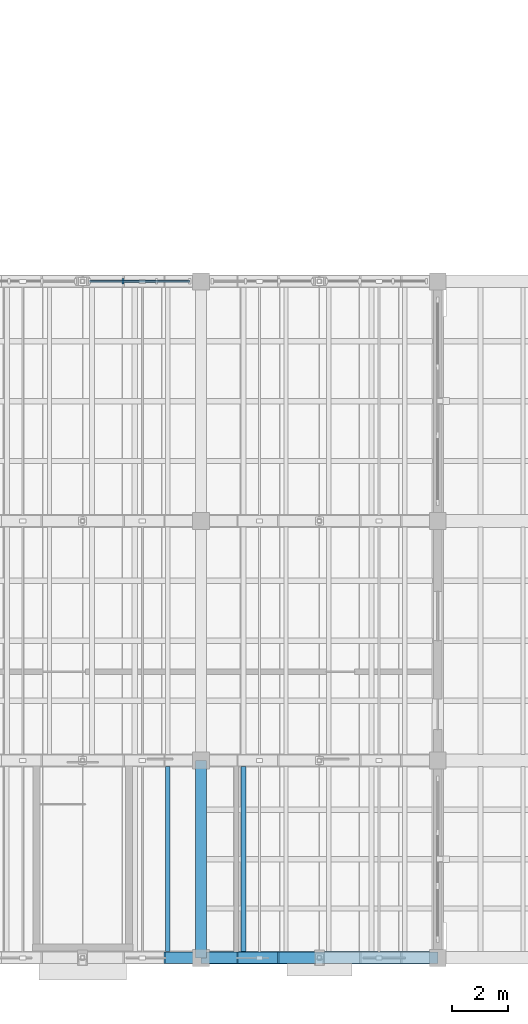
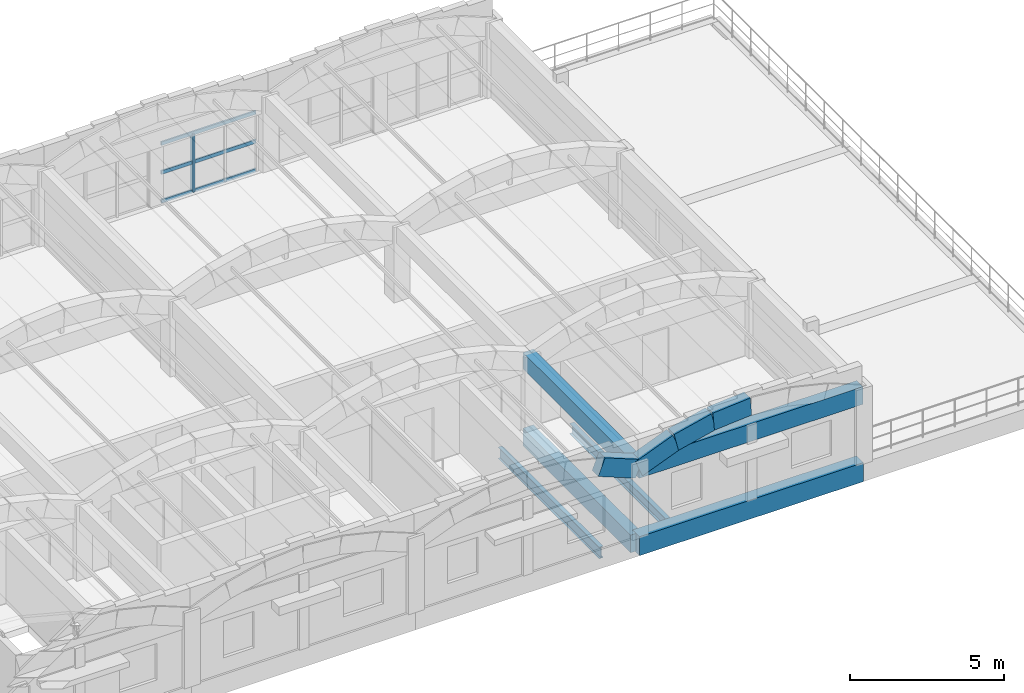
# One storey, part 13 of 40: 8 members, 6 beams, 1 element without a shape of its own.
"""IFC4 building model written with IfcOpenShell, lengths in metres."""

from ifc_helpers import new_model, si_unit, direction, frame, origin, origin_2d, place, context, subcontext, project, spatial, rectangle, i_section, extrude, material, layer, layer_set, material_profile, profile_set, type_object, element, aggregate, save


model = new_model("IFC4")

# Units and contexts
model_context = context("Model", 3, precision=1e-05, world=origin(), true_north=direction((0.0, 1.0)))
body_context = subcontext(model_context, "Body", "Model", "MODEL_VIEW")
ifc_project = project(units=[si_unit("LENGTHUNIT", "METRE"), si_unit("AREAUNIT", "SQUARE_METRE"), si_unit("VOLUMEUNIT", "CUBIC_METRE"), si_unit("PLANEANGLEUNIT", "RADIAN"), si_unit("MASSUNIT", "GRAM", prefix="KILO")], contexts=[model_context])

# Site, building, storey
site_placement = place(None, origin())
site = spatial("IfcSite", under=ifc_project, at=site_placement, CompositionType="ELEMENT")
building_placement = place(site_placement, origin())
building = spatial("IfcBuilding", under=site, at=building_placement, Name="Trellovar Central Fire Station", CompositionType="ELEMENT")
storey_placement = place(building_placement, frame((0.0, 0.0, 12.75)))
storey = spatial("IfcBuildingStorey", under=building, at=storey_placement, Name="L04", CompositionType="ELEMENT", Elevation=12.75)

# Beams
ifc_material_1 = material(Name="Concrete C40/50", Category="concrete")
ifc_material_profile_1 = material_profile(ifc_material_1, rectangle(XDim=0.449951171875, YDim=0.75, at=origin_2d()), Name="RC450X750")
ifc_profile_set_1 = profile_set([ifc_material_profile_1], Name="Concrete C40/50")
beam_type_1 = type_object("IfcBeamType", Name="BM-G2", PredefinedType="BEAM", material=ifc_profile_set_1)
beam_1_placement = place(storey_placement, frame((130.699951171875, 9.0, -0.375), z_axis=(1.0, 0.0, 0.0), x_axis=(0.0, 1.0, 0.0)))
element("IfcBeam", 1, at=beam_1_placement, inside=storey, type_object=beam_type_1, Name="L04 beam G-2", PredefinedType="BEAM", context=body_context, shape_type="SweptSolid", body=[
    extrude(rectangle(XDim=0.449951171875, YDim=0.75, at=origin_2d()), origin(), (0.0, 0.0, 1.0), 8.400146484375),
])
ifc_material_2 = material(Name="Concrete C40/50", Category="concrete")
ifc_material_profile_2 = material_profile(ifc_material_2, rectangle(XDim=0.39990234375, YDim=0.699951171875, at=origin_2d()), Name="RC400X700")
ifc_profile_set_2 = profile_set([ifc_material_profile_2], Name="Concrete C40/50")
beam_type_2 = type_object("IfcBeamType", Name="BM-G3", PredefinedType="BEAM", material=ifc_profile_set_2)
beam_2_placement = place(storey_placement, frame((130.699951171875, 9.0, -0.35009765625), z_axis=(0.0, 1.0, 0.0), x_axis=(-1.0, 0.0, 0.0)))
element("IfcBeam", 2, at=beam_2_placement, inside=storey, type_object=beam_type_2, Name="L04 beam G-3", PredefinedType="BEAM", context=body_context, shape_type="SweptSolid", body=[
    extrude(rectangle(XDim=0.39990234375, YDim=0.699951171875, at=origin_2d()), origin(), (0.0, 0.0, 1.0), 7.0),
])
beam_3_placement = place(storey_placement, frame((130.699951171875, 9.0, 2.64990234375), z_axis=(1.0, 0.0, 0.0), x_axis=(0.0, 1.0, 0.0)))
element("IfcBeam", 3, at=beam_3_placement, inside=storey, type_object=beam_type_2, Name="L04 beam G-3", PredefinedType="BEAM", context=body_context, shape_type="SweptSolid", body=[
    extrude(rectangle(XDim=0.39990234375, YDim=0.699951171875, at=origin_2d()), origin(), (0.0, 0.0, 1.0), 8.400146484375),
])
ifc_material_3 = material(Name="Concrete C40/50", Category="concrete")
ifc_material_profile_3 = material_profile(ifc_material_3, rectangle(XDim=0.39990234375, YDim=0.64990234375, at=origin_2d()), Name="RC400X650")
ifc_profile_set_3 = profile_set([ifc_material_profile_3], Name="Concrete C40/50")
beam_type_3 = type_object("IfcBeamType", Name="BM-G4", PredefinedType="BEAM", material=ifc_profile_set_3)
beam_4_placement = place(storey_placement, frame((130.699951171875, 9.0, 2.675048828125), z_axis=(0.0, 1.0, 0.0), x_axis=(-1.0, 0.0, 0.0)))
element("IfcBeam", 4, at=beam_4_placement, inside=storey, type_object=beam_type_3, Name="L04 beam G-4", PredefinedType="BEAM", context=body_context, shape_type="SweptSolid", body=[
    extrude(rectangle(XDim=0.39990234375, YDim=0.64990234375, at=origin_2d()), origin(), (0.0, 0.0, 1.0), 7.0),
])
ifc_material_4 = material(Name="Steel ASTM A992 Grade 50", Category="steel")
ifc_material_profile_4 = material_profile(ifc_material_4, i_section(OverallWidth=0.15283203125, OverallDepth=0.45458984375, WebThickness=0.008056640625, FlangeThickness=0.01318359375, FilletRadius=0.0126953125, at=origin_2d()), Name="W18X40")
ifc_profile_set_4 = profile_set([ifc_material_profile_4], Name="Steel ASTM A992 Grade 50")
beam_type_4 = type_object("IfcBeamType", Name="BM-SW10", PredefinedType="JOIST", material=ifc_profile_set_4)
beam_5_placement = place(storey_placement, frame((129.52392578125, 9.219970703125, -0.477294921875), z_axis=(0.0, 1.0, 0.0), x_axis=(-1.0, 0.0, 0.0)))
element("IfcBeam", 5, at=beam_5_placement, inside=storey, type_object=beam_type_4, Name="L04 secondary steel deck joist", PredefinedType="JOIST", context=body_context, shape_type="SweptSolid", body=[
    extrude(i_section(OverallWidth=0.15283203125, OverallDepth=0.45458984375, WebThickness=0.008056640625, FlangeThickness=0.01318359375, FilletRadius=0.0126953125, at=origin_2d()), origin(), (0.0, 0.0, 1.0), 6.56005859375),
])
ifc_material_5 = material(Name="Steel ASTM A992 Grade 50", Category="steel")
ifc_material_profile_5 = material_profile(ifc_material_5, i_section(OverallWidth=0.177490234375, OverallDepth=0.40380859375, WebThickness=0.007568359375, FlangeThickness=0.010986328125, FilletRadius=0.011474609375, at=origin_2d()), Name="W16X36")
ifc_profile_set_5 = profile_set([ifc_material_profile_5], Name="Steel ASTM A992 Grade 50")
beam_type_5 = type_object("IfcBeamType", Name="BM-SW11", PredefinedType="JOIST", material=ifc_profile_set_5)
beam_6_placement = place(storey_placement, frame((132.2119140625, 9.219970703125, -0.451904296875), z_axis=(0.0, 1.0, 0.0), x_axis=(-1.0, 0.0, 0.0)))
element("IfcBeam", 6, at=beam_6_placement, inside=storey, type_object=beam_type_5, Name="L04 secondary steel deck joist", PredefinedType="JOIST", context=body_context, shape_type="SweptSolid", body=[
    extrude(i_section(OverallWidth=0.177490234375, OverallDepth=0.40380859375, WebThickness=0.007568359375, FlangeThickness=0.010986328125, FilletRadius=0.011474609375, at=origin_2d()), origin(), (0.0, 0.0, 1.0), 6.56005859375),
])

# Curtain wall, members
ifc_material_6 = material(Name="Thermally broken bronze anodized aluminum", Category="aluminium")
ifc_layer = layer(ifc_material_6, 0.159912109375)
ifc_layer_set = layer_set([ifc_layer], Name="Thermally broken bronze anodized aluminum")
curtain_wall_type = type_object("IfcCurtainWallType", Name="CW-09", PredefinedType="NOTDEFINED", material=ifc_layer_set)
curtain_wall_placement = place(storey_placement, origin())
curtain_wall = element("IfcCurtainWall", 7, at=curtain_wall_placement, inside=storey, type_object=curtain_wall_type, Name="L04 curtain wall CW-9", PredefinedType="NOTDEFINED")
ifc_material_7 = material(Name="Thermally broken bronze anodized aluminum", Category="aluminium")
ifc_material_profile_6 = material_profile(ifc_material_7, rectangle(XDim=0.074951171875, YDim=0.199951171875, at=origin_2d()), Name="ALU75X200")
ifc_profile_set_6 = profile_set([ifc_material_profile_6], Name="Thermally broken bronze anodized aluminum")
member_type_1 = type_object("IfcMemberType", Name="CWM-1", PredefinedType="MULLION", material=ifc_profile_set_6)
member_1_placement = place(storey_placement, frame((127.933349609375, 33.0, 0.0), z_axis=(0.0, 0.0, 1.0), x_axis=(1.0, 0.0, 0.0)))
member_1 = element("IfcMember", 8, at=member_1_placement, type_object=member_type_1, Name="CW3-L04-0095 mullion 3", PredefinedType="MULLION", context=body_context, shape_type="SweptSolid", body=[
    extrude(rectangle(XDim=0.074951171875, YDim=0.199951171875, at=origin_2d()), origin(), (0.0, 0.0, 1.0), 2.2900390625),
])
ifc_material_8 = material(Name="Thermally broken bronze anodized aluminum", Category="aluminium")
ifc_material_profile_7 = material_profile(ifc_material_8, rectangle(XDim=0.06005859375, YDim=0.139892578125, at=origin_2d()), Name="ALU60X140")
ifc_profile_set_7 = profile_set([ifc_material_profile_7], Name="Thermally broken bronze anodized aluminum")
member_type_2 = type_object("IfcMemberType", Name="CWT-1", PredefinedType="USERDEFINED", material=ifc_profile_set_7)
member_2_placement = place(storey_placement, frame((130.300048828125, 33.0, 0.0), z_axis=(-1.0, 0.0, 0.0), x_axis=(0.0, -1.0, 0.0)))
member_2 = element("IfcMember", 9, at=member_2_placement, type_object=member_type_2, Name="CW3-L04-0095 transom 1", ObjectType="TRANSOM", PredefinedType="USERDEFINED", context=body_context, shape_type="SweptSolid", body=[
    extrude(rectangle(XDim=0.06005859375, YDim=0.139892578125, at=origin_2d()), origin(), (0.0, 0.0, 1.0), 3.550048828125),
])
member_3_placement = place(storey_placement, frame((130.300048828125, 33.0, 1.14501953125), z_axis=(-1.0, 0.0, 0.0), x_axis=(0.0, -1.0, 0.0)))
member_3 = element("IfcMember", 10, at=member_3_placement, type_object=member_type_2, Name="CW3-L04-0095 transom 2", ObjectType="TRANSOM", PredefinedType="USERDEFINED", context=body_context, shape_type="SweptSolid", body=[
    extrude(rectangle(XDim=0.06005859375, YDim=0.139892578125, at=origin_2d()), origin(), (0.0, 0.0, 1.0), 3.550048828125),
])
member_4_placement = place(storey_placement, frame((130.300048828125, 33.0, 2.2900390625), z_axis=(-1.0, 0.0, 0.0), x_axis=(0.0, -1.0, 0.0)))
member_4 = element("IfcMember", 11, at=member_4_placement, type_object=member_type_2, Name="CW3-L04-0095 transom 3", ObjectType="TRANSOM", PredefinedType="USERDEFINED", context=body_context, shape_type="SweptSolid", body=[
    extrude(rectangle(XDim=0.06005859375, YDim=0.139892578125, at=origin_2d()), origin(), (0.0, 0.0, 1.0), 3.550048828125),
])
aggregate(curtain_wall, [member_1, member_2, member_3, member_4])

# Members
ifc_material_9 = material(Name="Concrete C40/50", Category="concrete")
ifc_material_profile_8 = material_profile(ifc_material_9, rectangle(XDim=0.39990234375, YDim=0.699951171875, at=origin_2d()), Name="RC400X700")
ifc_profile_set_8 = profile_set([ifc_material_profile_8], Name="Concrete C40/50")
member_type_3 = type_object("IfcMemberType", Name="MEM-LR1", PredefinedType="CHORD", material=ifc_profile_set_8)
member_5_placement = place(storey_placement, frame((129.300048828125, 9.0, 3.235595703125), z_axis=(0.929457187308, 0.0, -0.368929989242), x_axis=(0.0, 1.0, 0.0)))
element("IfcMember", 12, at=member_5_placement, inside=storey, type_object=member_type_3, Name="V5 Catalan vault rib 3 chord 6", PredefinedType="CHORD", context=body_context, shape_type="SweptSolid", body=[
    extrude(rectangle(XDim=0.39990234375, YDim=0.699951171875, at=origin_2d()), origin(), (0.0, 0.0, 1.0), 1.506103515625),
])
member_6_placement = place(storey_placement, frame((130.699951171875, 9.0, 2.679931640625), z_axis=(0.929479245072, 0.0, 0.368874413563), x_axis=(0.0, 1.0, 0.0)))
element("IfcMember", 13, at=member_6_placement, inside=storey, type_object=member_type_3, Name="V5 Catalan vault rib 4 chord 1", PredefinedType="CHORD", context=body_context, shape_type="SweptSolid", body=[
    extrude(rectangle(XDim=0.39990234375, YDim=0.699951171875, at=origin_2d()), origin(), (0.0, 0.0, 1.0), 1.50634765625),
])
member_7_placement = place(storey_placement, frame((132.10009765625, 9.0, 3.235595703125), z_axis=(0.972815315724, 0.0, 0.23158229961), x_axis=(0.0, 1.0, 0.0)))
element("IfcMember", 14, at=member_7_placement, inside=storey, type_object=member_type_3, Name="V5 Catalan vault rib 4 chord 2", PredefinedType="CHORD", context=body_context, shape_type="SweptSolid", body=[
    extrude(rectangle(XDim=0.39990234375, YDim=0.699951171875, at=origin_2d()), origin(), (0.0, 0.0, 1.0), 1.43896484375),
])
member_8_placement = place(storey_placement, frame((133.5, 9.0, 3.56884765625), z_axis=(0.996866480688, 0.0, 0.079102589591), x_axis=(0.0, 1.0, 0.0)))
element("IfcMember", 15, at=member_8_placement, inside=storey, type_object=member_type_3, Name="V5 Catalan vault rib 4 chord 3", PredefinedType="CHORD", context=body_context, shape_type="SweptSolid", body=[
    extrude(rectangle(XDim=0.39990234375, YDim=0.699951171875, at=origin_2d()), origin(), (0.0, 0.0, 1.0), 1.404296875),
])

save(model, "model.ifc")
